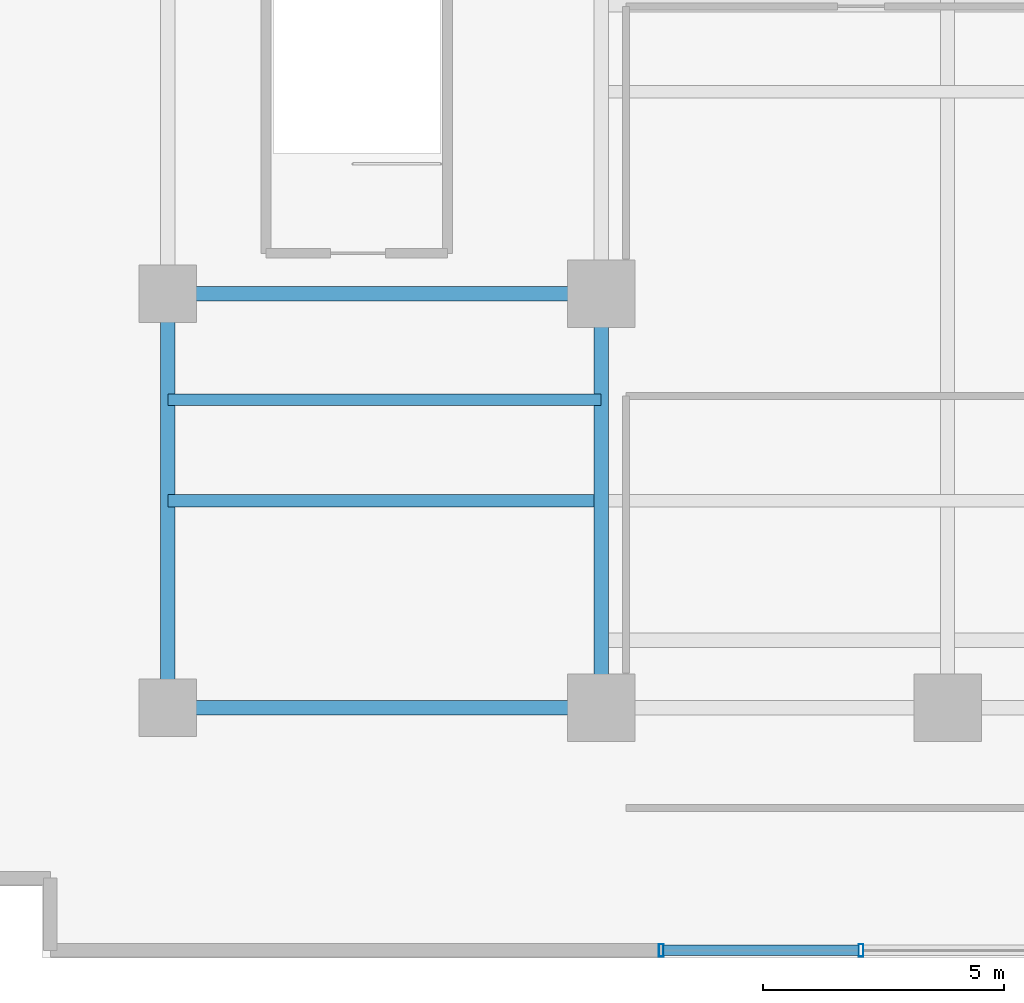
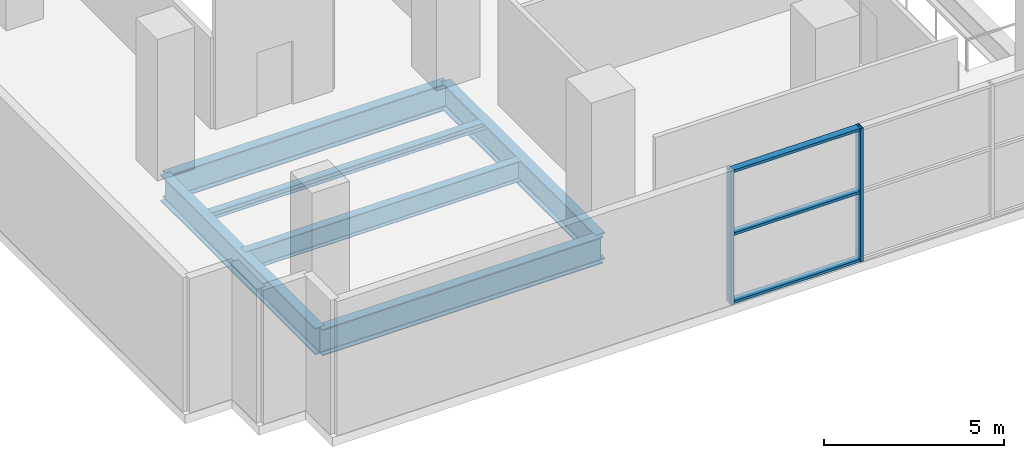
# One storey, part 2 of 22: 6 beams, 5 members, 1 element without a shape of its own.
"""IFC4 building model written with IfcOpenShell, lengths in metres."""

from ifc_helpers import new_model, si_unit, direction, frame, origin, origin_2d, place, context, subcontext, project, spatial, hollow_rectangle, i_section, extrude, source, transform, mapped, material, layer, layer_set, material_profile, profile_set, type_object, element, aggregate, save


model = new_model("IFC4")

# Units and contexts
model_context = context("Model", 3, precision=1e-05, world=origin(), true_north=direction((0.0, 1.0)))
body_context = subcontext(model_context, "Body", "Model", "MODEL_VIEW")
ifc_project = project(units=[si_unit("LENGTHUNIT", "METRE"), si_unit("AREAUNIT", "SQUARE_METRE"), si_unit("VOLUMEUNIT", "CUBIC_METRE"), si_unit("PLANEANGLEUNIT", "RADIAN"), si_unit("MASSUNIT", "GRAM", prefix="KILO")], contexts=[model_context])

# Site, building, storey
site_placement = place(None, origin())
site = spatial("IfcSite", under=ifc_project, at=site_placement, CompositionType="ELEMENT")
building_placement = place(site_placement, origin())
building = spatial("IfcBuilding", under=site, at=building_placement, Name="Zarnakvel Exchange Tower", CompositionType="ELEMENT")
storey_placement = place(building_placement, frame((0.0, 0.0, 22.60009765625)))
storey = spatial("IfcBuildingStorey", under=building, at=storey_placement, Name="L05", CompositionType="ELEMENT", Elevation=22.60009765625)

# Beams
ifc_material_1 = material(Name="Steel S355", Category="steel")
ifc_material_profile_1 = material_profile(ifc_material_1, i_section(OverallWidth=0.255859375, OverallDepth=0.69287109375, WebThickness=0.014404296875, FlangeThickness=0.023681640625, FilletRadius=0.01513671875, at=origin_2d()))
ifc_profile_set_1 = profile_set([ifc_material_profile_1], Name="Steel S355")
beam_type_1 = type_object("IfcBeamType", Name="B-01", PredefinedType="JOIST", material=ifc_profile_set_1)
beam_1_placement = place(storey_placement, frame((-30.60009765625, -13.89990234375, -0.646484375), z_axis=(1.0, 0.0, 0.0), x_axis=(0.0, 1.0, 0.0)))
element("IfcBeam", 1, at=beam_1_placement, inside=storey, type_object=beam_type_1, Name="L05 Podium Wing Secondary Joist West", PredefinedType="JOIST", context=body_context, shape_type="SweptSolid", body=[
    extrude(i_section(OverallWidth=0.255859375, OverallDepth=0.69287109375, WebThickness=0.014404296875, FlangeThickness=0.023681640625, FilletRadius=0.01513671875, at=origin_2d()), origin(), (0.0, 0.0, 1.0), 8.85009765625),
])
ifc_material_profile_2 = material_profile(ifc_material_1, i_section(OverallWidth=0.300048828125, OverallDepth=0.89990234375, WebThickness=0.0185546875, FlangeThickness=0.034912109375, FilletRadius=0.030029296875, at=origin_2d()))
ifc_profile_set_2 = profile_set([ifc_material_profile_2], Name="Steel S355")
beam_type_2 = type_object("IfcBeamType", Name="G-01", PredefinedType="BEAM", material=ifc_profile_set_2)
for number, where, z_axis, x_axis, name in (
    (2, (-30.60009765625, -18.199951171875, -0.75), (1.0, 0.0, 0.0), (0.0, 1.0, 0.0), "L05 Primary E-W Girder Y=-18.2"),
    (3, (-30.60009765625, -9.60009765625, -0.75), (1.0, 0.0, 0.0), (0.0, 1.0, 0.0), "L05 Primary E-W Girder Y=-9.6"),
):
    element("IfcBeam", number, at=place(storey_placement, frame(where, z_axis=z_axis, x_axis=x_axis)), inside=storey, type_object=beam_type_2, Name=name, PredefinedType="BEAM", context=body_context, shape_type="SweptSolid", body=[
        extrude(i_section(OverallWidth=0.300048828125, OverallDepth=0.89990234375, WebThickness=0.0185546875, FlangeThickness=0.034912109375, FilletRadius=0.030029296875, at=origin_2d()), origin(), (0.0, 0.0, 1.0), 9.0),
    ])
for number, where, z_axis, x_axis, name in (
    (4, (-30.60009765625, -18.199951171875, -0.75), (0.0, 1.0, 0.0), (-1.0, 0.0, 0.0), "L05 Primary N-S Girder X=-30.6"),
    (5, (-21.60009765625, -18.199951171875, -0.75), (0.0, 1.0, 0.0), (-1.0, 0.0, 0.0), "L05 Primary N-S Girder X=-21.6"),
):
    element("IfcBeam", number, at=place(storey_placement, frame(where, z_axis=z_axis, x_axis=x_axis)), inside=storey, type_object=beam_type_2, Name=name, PredefinedType="BEAM", context=body_context, shape_type="SweptSolid", body=[
        extrude(i_section(OverallWidth=0.300048828125, OverallDepth=0.89990234375, WebThickness=0.0185546875, FlangeThickness=0.034912109375, FilletRadius=0.030029296875, at=origin_2d()), origin(), (0.0, 0.0, 1.0), 8.599853515625),
    ])
ifc_material_profile_3 = material_profile(ifc_material_1, i_section(OverallWidth=0.239990234375, OverallDepth=0.239990234375, WebThickness=0.010009765625, FlangeThickness=0.01708984375, FilletRadius=0.02099609375, at=origin_2d()))
ifc_profile_set_3 = profile_set([ifc_material_profile_3], Name="Steel S355")
beam_type_3 = type_object("IfcBeamType", Name="LN-01", PredefinedType="LINTEL", material=ifc_profile_set_3)
beam_2_placement = place(storey_placement, frame((-30.60009765625, -11.800048828125, -0.420166015625), z_axis=(1.0, 0.0, 0.0), x_axis=(0.0, 1.0, 0.0)))
element("IfcBeam", 6, at=beam_2_placement, inside=storey, type_object=beam_type_3, Name="L05 Concourse Gallery Opening Lintel West", PredefinedType="LINTEL", context=body_context, shape_type="SweptSolid", body=[
    extrude(i_section(OverallWidth=0.239990234375, OverallDepth=0.239990234375, WebThickness=0.010009765625, FlangeThickness=0.01708984375, FilletRadius=0.02099609375, at=origin_2d()), origin(), (0.0, 0.0, 1.0), 9.0),
])

# Curtain wall, members
ifc_material_2 = material(Name="Architectural Bronze Anodised Aluminium", Category="aluminium")
ifc_layer = layer(ifc_material_2, 0.260009765625)
ifc_layer_set = layer_set([ifc_layer], Name="Architectural Bronze Anodised Aluminium")
curtain_wall_type = type_object("IfcCurtainWallType", Name="CW-01", PredefinedType="NOTDEFINED", material=ifc_layer_set)
curtain_wall_placement = place(storey_placement, origin())
curtain_wall = element("IfcCurtainWall", 7, at=curtain_wall_placement, inside=storey, type_object=curtain_wall_type, Name="L05 Curtain Wall CW-L05-S1 (CW-01)", PredefinedType="NOTDEFINED")
ifc_material_profile_4 = material_profile(ifc_material_2, hollow_rectangle(XDim=0.219970703125, YDim=0.090087890625, WallThickness=0.0048828125, at=origin_2d()))
ifc_profile_set_4 = profile_set([ifc_material_profile_4], Name="Architectural Bronze Anodised Aluminium")
member_type_1 = type_object("IfcMemberType", Name="CWT-01", PredefinedType="USERDEFINED", material=ifc_profile_set_4)
shared_shape_1 = source(origin(), body_context, "Body", "SweptSolid", [
    extrude(hollow_rectangle(XDim=0.219970703125, YDim=0.090087890625, WallThickness=0.0048828125, at=origin_2d()), origin(), (0.0, 0.0, 1.0), 4.050048828125),
])
member_1_placement = place(storey_placement, frame((-20.300048828125, -23.239990234375, 0.044921875), z_axis=(1.0, 0.0, 0.0), x_axis=(0.0, 1.0, 0.0)))
member_1 = element("IfcMember", 8, at=member_1_placement, type_object=member_type_1, Name="CW-01 transom 1.1", ObjectType="TRANSOM", PredefinedType="USERDEFINED", context=body_context, shape_type="MappedRepresentation", body=[
    mapped(shared_shape_1, transform((0.0, 0.0, 0.0), x_axis=(1.0, 0.0, 0.0), y_axis=(0.0, 1.0, 0.0), z_axis=(0.0, 0.0, 1.0), scale=1.0)),
])
member_2_placement = place(storey_placement, frame((-20.300048828125, -23.239990234375, 2.35546875), z_axis=(1.0, 0.0, 0.0), x_axis=(0.0, 1.0, 0.0)))
member_2 = element("IfcMember", 9, at=member_2_placement, type_object=member_type_1, Name="CW-01 transom 1.2", ObjectType="TRANSOM", PredefinedType="USERDEFINED", context=body_context, shape_type="MappedRepresentation", body=[
    mapped(shared_shape_1, transform((0.0, 0.0, 0.0), x_axis=(1.0, 0.0, 0.0), y_axis=(0.0, 1.0, 0.0), z_axis=(0.0, 0.0, 1.0), scale=1.0)),
])
member_3_placement = place(storey_placement, frame((-20.300048828125, -23.239990234375, 4.48486328125), z_axis=(1.0, 0.0, 0.0), x_axis=(0.0, 1.0, 0.0)))
member_3 = element("IfcMember", 10, at=member_3_placement, type_object=member_type_1, Name="CW-01 transom 1.3", ObjectType="TRANSOM", PredefinedType="USERDEFINED", context=body_context, shape_type="MappedRepresentation", body=[
    mapped(shared_shape_1, transform((0.0, 0.0, 0.0), x_axis=(1.0, 0.0, 0.0), y_axis=(0.0, 1.0, 0.0), z_axis=(0.0, 0.0, 1.0), scale=1.0)),
])
ifc_material_profile_5 = material_profile(ifc_material_2, hollow_rectangle(XDim=0.260009765625, YDim=0.10009765625, WallThickness=0.006103515625, at=origin_2d()))
ifc_profile_set_5 = profile_set([ifc_material_profile_5], Name="Architectural Bronze Anodised Aluminium")
member_type_2 = type_object("IfcMemberType", Name="CWM-01", PredefinedType="MULLION", material=ifc_profile_set_5)
shared_shape_2 = source(origin(), body_context, "Body", "SweptSolid", [
    extrude(hollow_rectangle(XDim=0.260009765625, YDim=0.10009765625, WallThickness=0.006103515625, at=origin_2d()), origin(), (0.0, 0.0, 1.0), 4.52978515625),
])
member_4_placement = place(storey_placement, frame((-20.35009765625, -23.239990234375, 0.0), z_axis=(0.0, 0.0, 1.0), x_axis=(0.0, 1.0, 0.0)))
member_4 = element("IfcMember", 11, at=member_4_placement, type_object=member_type_2, Name="CW-01 mullion 1", PredefinedType="MULLION", context=body_context, shape_type="MappedRepresentation", body=[
    mapped(shared_shape_2, transform((0.0, 0.0, 0.0), x_axis=(1.0, 0.0, 0.0), y_axis=(0.0, 1.0, 0.0), z_axis=(0.0, 0.0, 1.0), scale=1.0)),
])
member_5_placement = place(storey_placement, frame((-16.199951171875, -23.239990234375, 0.0), z_axis=(0.0, 0.0, 1.0), x_axis=(0.0, 1.0, 0.0)))
member_5 = element("IfcMember", 12, at=member_5_placement, type_object=member_type_2, Name="CW-01 mullion 2", PredefinedType="MULLION", context=body_context, shape_type="MappedRepresentation", body=[
    mapped(shared_shape_2, transform((0.0, 0.0, 0.0), x_axis=(1.0, 0.0, 0.0), y_axis=(0.0, 1.0, 0.0), z_axis=(0.0, 0.0, 1.0), scale=1.0)),
])
aggregate(curtain_wall, [member_4, member_5, member_1, member_2, member_3])

save(model, "model.ifc")
